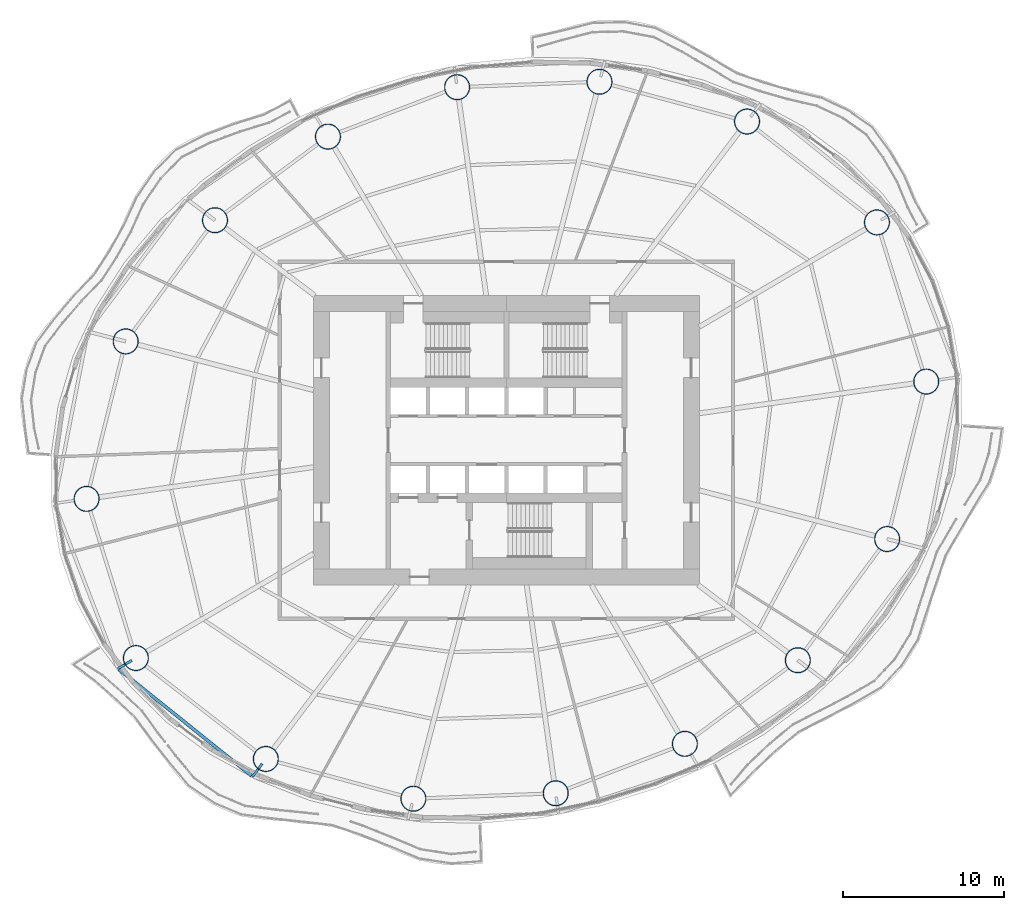
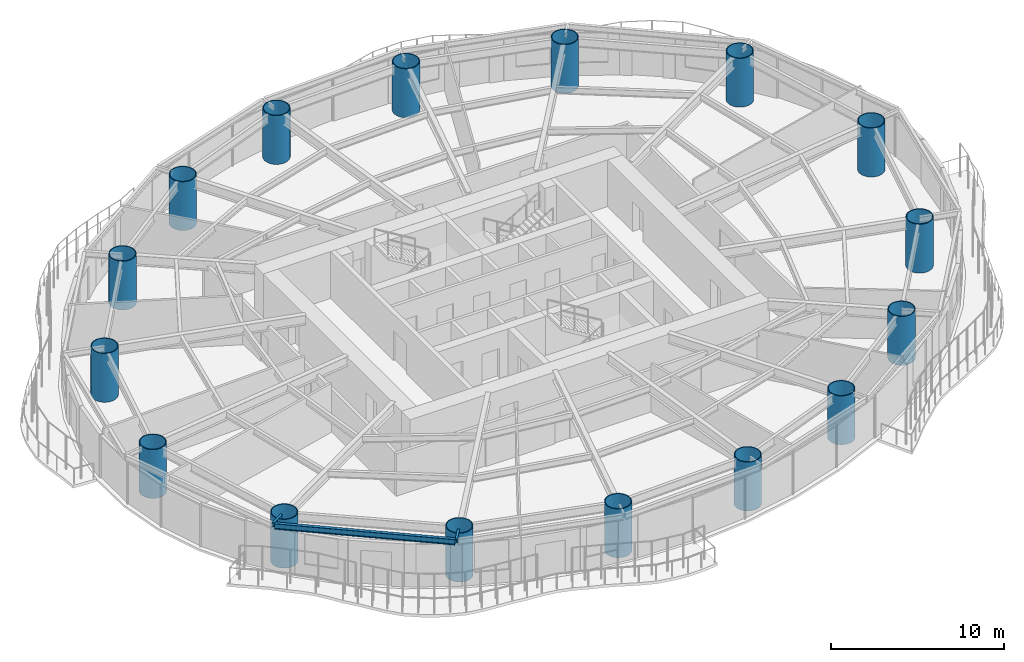
# One storey, part 1 of 17: 16 columns, 3 beams.
"""IFC4 building model written with IfcOpenShell, lengths in metres."""

from ifc_helpers import new_model, si_unit, direction, frame, origin, origin_2d, place, context, subcontext, project, spatial, hollow_circle, i_section, extrude, material, material_profile, profile_set, type_object, element, save


model = new_model("IFC4")

# Units and contexts
model_context = context("Model", 3, precision=1e-05, world=origin(), true_north=direction((0.0, 1.0)))
body_context = subcontext(model_context, "Body", "Model", "MODEL_VIEW")
ifc_project = project(units=[si_unit("LENGTHUNIT", "METRE"), si_unit("AREAUNIT", "SQUARE_METRE"), si_unit("VOLUMEUNIT", "CUBIC_METRE"), si_unit("PLANEANGLEUNIT", "RADIAN"), si_unit("MASSUNIT", "GRAM", prefix="KILO")], contexts=[model_context])

# Site, building, storey
site_placement = place(None, origin())
site = spatial("IfcSite", under=ifc_project, at=site_placement, CompositionType="ELEMENT")
building_placement = place(site_placement, origin())
building = spatial("IfcBuilding", under=site, at=building_placement, Name="Vermilion Reach Broadcast Tower", CompositionType="ELEMENT")
storey_placement = place(building_placement, frame((0.0, 0.0, 92.199951171875)))
storey = spatial("IfcBuildingStorey", under=building, at=storey_placement, Name="L20", CompositionType="ELEMENT", Elevation=92.199951171875)

# Columns
ifc_material_1 = material(Name="Concrete C80 infill in steel S460NL tube", Category="concrete")
ifc_material_profile_1 = material_profile(ifc_material_1, hollow_circle(Radius=0.800048828125, WallThickness=0.054931640625, at=origin_2d()), Name="Concrete C80 infill in steel S460NL tube CFT 1600x55")
ifc_profile_set_1 = profile_set([ifc_material_profile_1], Name="Concrete C80 infill in steel S460NL tube")
column_type = type_object("IfcColumnType", Name="MC2 CFT 1600x55", PredefinedType="COLUMN", material=ifc_profile_set_1)
for number, where, z_axis, x_axis, name in (
    (1, (17.04345703125, 13.546630859375, 0.0), (0.0, 0.0, 1.0), (1.0, 0.0, 0.0), "Mega-column MC2-01"),
    (2, (8.96337890625, 19.821044921875, 0.0), (0.0, 0.0, 1.0), (1.0, 0.0, 0.0), "Mega-column MC2-02"),
    (3, (-0.21337890625, 22.29443359375, 0.0), (0.0, 0.0, 1.0), (1.0, 0.0, 0.0), "Mega-column MC2-03"),
    (4, (-9.066162109375, 21.955810546875, 0.0), (0.0, 0.0, 1.0), (1.0, 0.0, 0.0), "Mega-column MC2-04"),
    (5, (-17.099609375, 18.881103515625, 0.0), (0.0, 0.0, 1.0), (1.0, 0.0, 0.0), "Mega-column MC2-05"),
    (6, (-24.12451171875, 13.6826171875, 0.0), (0.0, 0.0, 1.0), (1.0, 0.0, 0.0), "Mega-column MC2-06"),
    (7, (-29.6787109375, 6.145751953125, 0.0), (0.0, 0.0, 1.0), (1.0, 0.0, 0.0), "Mega-column MC2-07"),
    (8, (-32.10888671875, -3.646240234375, 0.0), (0.0, 0.0, 1.0), (1.0, 0.0, 0.0), "Mega-column MC2-08"),
    (9, (-29.04345703125, -13.546630859375, 0.0), (0.0, 0.0, 1.0), (1.0, 0.0, 0.0), "Mega-column MC2-09"),
    (10, (-20.96337890625, -19.821044921875, 0.0), (0.0, 0.0, 1.0), (1.0, 0.0, 0.0), "Mega-column MC2-10"),
    (11, (-11.78662109375, -22.29443359375, 0.0), (0.0, 0.0, 1.0), (1.0, 0.0, 0.0), "Mega-column MC2-11"),
    (12, (-2.933837890625, -21.955810546875, 0.0), (0.0, 0.0, 1.0), (1.0, 0.0, 0.0), "Mega-column MC2-12"),
    (13, (5.099609375, -18.881103515625, 0.0), (0.0, 0.0, 1.0), (1.0, 0.0, 0.0), "Mega-column MC2-13"),
    (14, (12.12451171875, -13.6826171875, 0.0), (0.0, 0.0, 1.0), (1.0, 0.0, 0.0), "Mega-column MC2-14"),
    (15, (17.6787109375, -6.145751953125, 0.0), (0.0, 0.0, 1.0), (1.0, 0.0, 0.0), "Mega-column MC2-15"),
    (16, (20.10888671875, 3.646240234375, 0.0), (0.0, 0.0, 1.0), (1.0, 0.0, 0.0), "Mega-column MC2-16"),
):
    element("IfcColumn", number, at=place(storey_placement, frame(where, z_axis=z_axis, x_axis=x_axis)), inside=storey, type_object=column_type, Name=name, PredefinedType="COLUMN", context=body_context, shape_type="SweptSolid", body=[
        extrude(hollow_circle(Radius=0.800048828125, WallThickness=0.054931640625, at=origin_2d()), origin(), (0.0, 0.0, 1.0), 3.449951171875),
    ])

# Beams
ifc_material_2 = material(Name="Steel S355J2", Category="steel")
ifc_material_profile_2 = material_profile(ifc_material_2, i_section(OverallWidth=0.199951171875, OverallDepth=0.39990234375, WebThickness=0.008056640625, FlangeThickness=0.012939453125, at=origin_2d()), Name="S355J2 HN 400x200x8x13")
ifc_profile_set_2 = profile_set([ifc_material_profile_2], Name="Steel S355J2")
beam_type_1 = type_object("IfcBeamType", Name="EB2 HN 400x200x8x13", PredefinedType="BEAM", material=ifc_profile_set_2)
beam_placement = place(storey_placement, frame((-30.0966796875, -14.252685546875, 3.25), z_axis=(0.780016605802, -0.625758815098, 0.0), x_axis=(0.625758815098, 0.780016605802, 0.0)))
element("IfcBeam", 17, at=beam_placement, inside=storey, type_object=beam_type_1, Name="Edge beam EB2-09", PredefinedType="BEAM", context=body_context, shape_type="SweptSolid", body=[
    extrude(i_section(OverallWidth=0.199951171875, OverallDepth=0.39990234375, WebThickness=0.008056640625, FlangeThickness=0.012939453125, at=origin_2d()), origin(), (0.0, 0.0, 1.0), 10.573974609375),
])
ifc_material_3 = material(Name="Steel S355J2", Category="steel")
ifc_material_profile_3 = material_profile(ifc_material_3, i_section(OverallWidth=0.14990234375, OverallDepth=0.300048828125, WebThickness=0.006591796875, FlangeThickness=0.009033203125, at=origin_2d()), Name="S355J2 HN 300x150x6.5x9")
ifc_profile_set_3 = profile_set([ifc_material_profile_3], Name="Steel S355J2")
beam_type_2 = type_object("IfcBeamType", Name="GS2 HN 300x150x6.5x9", PredefinedType="BEAM", material=ifc_profile_set_3)
for number, where, z_axis, x_axis, name in (
    (18, (-29.297119140625, -13.69580078125, 3.300048828125), (-0.862153821816, -0.506646610102, 0.0), (0.506646610102, -0.862153821816, 0.0), "Cantilever stub GS2-09"),
    (19, (-21.187744140625, -20.118408203125, 3.300048828125), (-0.602536027779, -0.798091683473, 0.0), (0.798091683473, -0.602536027779, 0.0), "Cantilever stub GS2-10"),
):
    element("IfcBeam", number, at=place(storey_placement, frame(where, z_axis=z_axis, x_axis=x_axis)), inside=storey, type_object=beam_type_2, Name=name, PredefinedType="BEAM", context=body_context, shape_type="SweptSolid", body=[
        extrude(i_section(OverallWidth=0.14990234375, OverallDepth=0.300048828125, WebThickness=0.006591796875, FlangeThickness=0.009033203125, at=origin_2d()), origin(), (0.0, 0.0, 1.0), 1.0),
    ])

save(model, "model.ifc")
